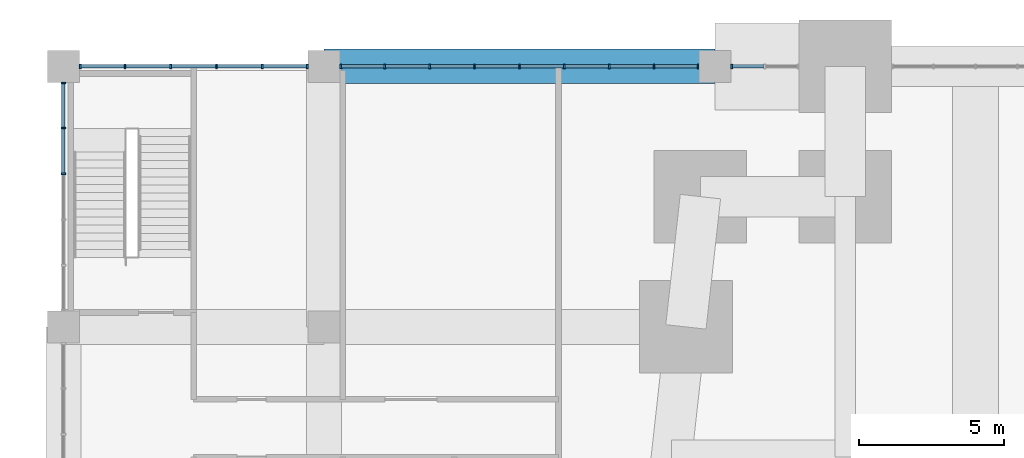
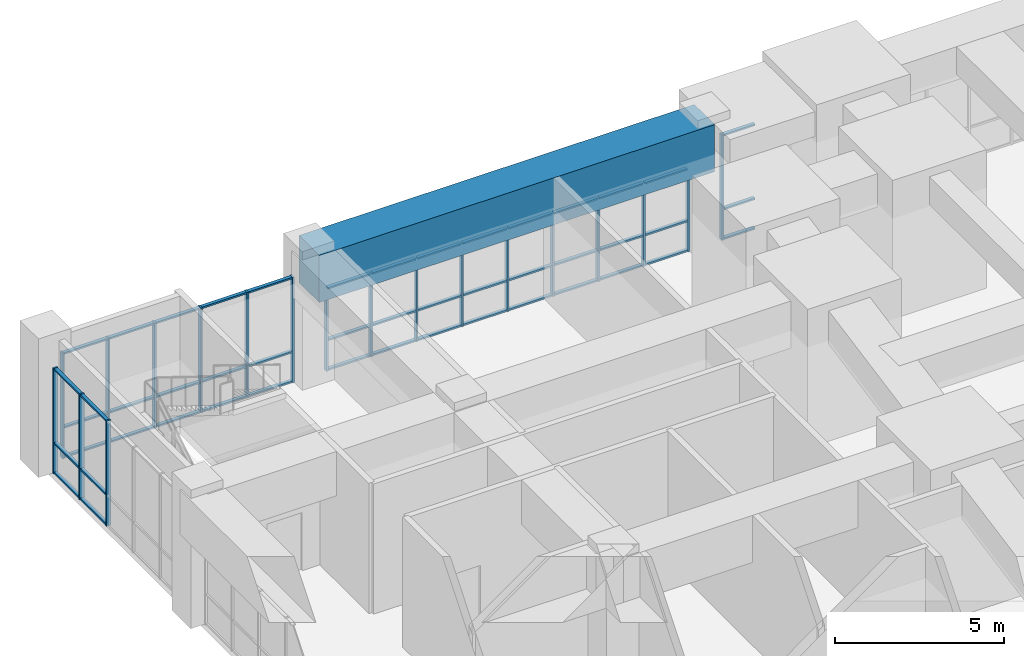
# One storey, part 10 of 27: 67 members, 1 beam, 4 elements without a shape of their own.
"""IFC4 building model written with IfcOpenShell, lengths in metres."""

from ifc_helpers import new_model, si_unit, direction, frame, origin, origin_2d, place, context, subcontext, project, spatial, rectangle, extrude, material, material_profile, profile_set, type_object, element, aggregate, save


model = new_model("IFC4")

# Units and contexts
model_context = context("Model", 3, precision=1e-05, world=origin(), true_north=direction((0.0, 1.0)))
body_context = subcontext(model_context, "Body", "Model", "MODEL_VIEW")
ifc_project = project(units=[si_unit("LENGTHUNIT", "METRE"), si_unit("AREAUNIT", "SQUARE_METRE"), si_unit("VOLUMEUNIT", "CUBIC_METRE"), si_unit("PLANEANGLEUNIT", "RADIAN"), si_unit("MASSUNIT", "GRAM", prefix="KILO")], contexts=[model_context])

# Site, building, storey
site_placement = place(None, origin())
site = spatial("IfcSite", under=ifc_project, at=site_placement, CompositionType="ELEMENT")
building_placement = place(site_placement, origin())
building = spatial("IfcBuilding", under=site, at=building_placement, Name="Kilele Tower Hotel", CompositionType="ELEMENT")
storey_placement = place(building_placement, frame((0.0, 0.0, 6.0)))
storey = spatial("IfcBuildingStorey", under=building, at=storey_placement, Name="L01", CompositionType="ELEMENT", Elevation=6.0)

# Beam
ifc_material_1 = material(Name="Concrete C60/75", Category="concrete")
ifc_material_profile_1 = material_profile(ifc_material_1, rectangle(XDim=1.199951171875, YDim=1.699951171875, at=origin_2d()))
ifc_profile_set_1 = profile_set([ifc_material_profile_1], Name="Concrete C60/75")
beam_type = type_object("IfcBeamType", Name="Beam RC 1200x1700 C60/75", PredefinedType="BEAM", material=ifc_profile_set_1)
beam_placement = place(storey_placement, frame((-9.0, 40.5, 3.85009765625), z_axis=(1.0, 0.0, 0.0), x_axis=(0.0, 1.0, 0.0)))
element("IfcBeam", 1, at=beam_placement, inside=storey, type_object=beam_type, Name="Beam PB3 level L02", PredefinedType="BEAM", context=body_context, shape_type="SweptSolid", body=[
    extrude(rectangle(XDim=1.199951171875, YDim=1.699951171875, at=origin_2d()), origin(), (0.0, 0.0, 1.0), 13.5),
])

# Curtain wall, member
ifc_material_2 = material(Name="Aluminium curtain wall, clear double glazing", Category="aluminium")
curtain_wall_type_1 = type_object("IfcCurtainWallType", Name="Podium curtain wall CW-1", PredefinedType="NOTDEFINED", material=ifc_material_2)
curtain_wall_1_placement = place(storey_placement, origin())
curtain_wall_1 = element("IfcCurtainWall", 2, at=curtain_wall_1_placement, inside=storey, type_object=curtain_wall_type_1, Name="Podium curtain wall CW-1 L01", PredefinedType="NOTDEFINED")
ifc_material_3 = material(Name="Aluminium EN AW-6063 T6", Category="aluminium")
ifc_material_profile_2 = material_profile(ifc_material_3, rectangle(XDim=0.159912109375, YDim=0.06005859375, at=origin_2d()))
ifc_profile_set_2 = profile_set([ifc_material_profile_2], Name="Aluminium EN AW-6063 T6")
member_type_1 = type_object("IfcMemberType", Name="Mullion 60x160 CW-1", PredefinedType="MULLION", material=ifc_profile_set_2)
member_1_placement = place(storey_placement, frame((5.080078125, 40.5, 0.0), z_axis=(0.0, 0.0, 1.0), x_axis=(0.0, -1.0, 0.0)))
member_1 = element("IfcMember", 3, at=member_1_placement, type_object=member_type_1, Name="CW-1 mullion 3", PredefinedType="MULLION", context=body_context, shape_type="SweptSolid", body=[
    extrude(rectangle(XDim=0.159912109375, YDim=0.06005859375, at=origin_2d()), origin(), (0.0, 0.0, 1.0), 3.800048828125),
])

# Curtain wall, members
curtain_wall_2_placement = place(storey_placement, origin())
curtain_wall_2 = element("IfcCurtainWall", 4, at=curtain_wall_2_placement, inside=storey, type_object=curtain_wall_type_1, Name="Podium curtain wall CW-1 L01", PredefinedType="NOTDEFINED")
member_2_placement = place(storey_placement, frame((3.919921875, 40.5, 0.0), z_axis=(0.0, 0.0, 1.0), x_axis=(0.0, -1.0, 0.0)))
member_2 = element("IfcMember", 5, at=member_2_placement, type_object=member_type_1, Name="CW-1 mullion 1", PredefinedType="MULLION", context=body_context, shape_type="SweptSolid", body=[
    extrude(rectangle(XDim=0.159912109375, YDim=0.06005859375, at=origin_2d()), origin(), (0.0, 0.0, 1.0), 3.0),
])
member_3_placement = place(storey_placement, frame((2.39990234375, 40.5, 0.0), z_axis=(0.0, 0.0, 1.0), x_axis=(0.0, -1.0, 0.0)))
member_3 = element("IfcMember", 6, at=member_3_placement, type_object=member_type_1, Name="CW-1 mullion 2", PredefinedType="MULLION", context=body_context, shape_type="SweptSolid", body=[
    extrude(rectangle(XDim=0.159912109375, YDim=0.06005859375, at=origin_2d()), origin(), (0.0, 0.0, 1.0), 3.0),
])
member_4_placement = place(storey_placement, frame((0.85009765625, 40.5, 0.0), z_axis=(0.0, 0.0, 1.0), x_axis=(0.0, -1.0, 0.0)))
member_4 = element("IfcMember", 7, at=member_4_placement, type_object=member_type_1, Name="CW-1 mullion 3", PredefinedType="MULLION", context=body_context, shape_type="SweptSolid", body=[
    extrude(rectangle(XDim=0.159912109375, YDim=0.06005859375, at=origin_2d()), origin(), (0.0, 0.0, 1.0), 3.0),
])
member_5_placement = place(storey_placement, frame((-0.699951171875, 40.5, 0.0), z_axis=(0.0, 0.0, 1.0), x_axis=(0.0, -1.0, 0.0)))
member_5 = element("IfcMember", 8, at=member_5_placement, type_object=member_type_1, Name="CW-1 mullion 4", PredefinedType="MULLION", context=body_context, shape_type="SweptSolid", body=[
    extrude(rectangle(XDim=0.159912109375, YDim=0.06005859375, at=origin_2d()), origin(), (0.0, 0.0, 1.0), 3.0),
])
member_6_placement = place(storey_placement, frame((-2.25, 40.5, 0.0), z_axis=(0.0, 0.0, 1.0), x_axis=(0.0, -1.0, 0.0)))
member_6 = element("IfcMember", 9, at=member_6_placement, type_object=member_type_1, Name="CW-1 mullion 5", PredefinedType="MULLION", context=body_context, shape_type="SweptSolid", body=[
    extrude(rectangle(XDim=0.159912109375, YDim=0.06005859375, at=origin_2d()), origin(), (0.0, 0.0, 1.0), 3.0),
])
member_7_placement = place(storey_placement, frame((-3.800048828125, 40.5, 0.0), z_axis=(0.0, 0.0, 1.0), x_axis=(0.0, -1.0, 0.0)))
member_7 = element("IfcMember", 10, at=member_7_placement, type_object=member_type_1, Name="CW-1 mullion 6", PredefinedType="MULLION", context=body_context, shape_type="SweptSolid", body=[
    extrude(rectangle(XDim=0.159912109375, YDim=0.06005859375, at=origin_2d()), origin(), (0.0, 0.0, 1.0), 3.0),
])
member_8_placement = place(storey_placement, frame((-5.35009765625, 40.5, 0.0), z_axis=(0.0, 0.0, 1.0), x_axis=(0.0, -1.0, 0.0)))
member_8 = element("IfcMember", 11, at=member_8_placement, type_object=member_type_1, Name="CW-1 mullion 7", PredefinedType="MULLION", context=body_context, shape_type="SweptSolid", body=[
    extrude(rectangle(XDim=0.159912109375, YDim=0.06005859375, at=origin_2d()), origin(), (0.0, 0.0, 1.0), 3.0),
])
member_9_placement = place(storey_placement, frame((-6.89990234375, 40.5, 0.0), z_axis=(0.0, 0.0, 1.0), x_axis=(0.0, -1.0, 0.0)))
member_9 = element("IfcMember", 12, at=member_9_placement, type_object=member_type_1, Name="CW-1 mullion 8", PredefinedType="MULLION", context=body_context, shape_type="SweptSolid", body=[
    extrude(rectangle(XDim=0.159912109375, YDim=0.06005859375, at=origin_2d()), origin(), (0.0, 0.0, 1.0), 3.0),
])
member_10_placement = place(storey_placement, frame((-8.419921875, 40.5, 0.0), z_axis=(0.0, 0.0, 1.0), x_axis=(0.0, -1.0, 0.0)))
member_10 = element("IfcMember", 13, at=member_10_placement, type_object=member_type_1, Name="CW-1 mullion 9", PredefinedType="MULLION", context=body_context, shape_type="SweptSolid", body=[
    extrude(rectangle(XDim=0.159912109375, YDim=0.06005859375, at=origin_2d()), origin(), (0.0, 0.0, 1.0), 3.0),
])

curtain_wall_3_placement = place(storey_placement, origin())
curtain_wall_3 = element("IfcCurtainWall", 14, at=curtain_wall_3_placement, inside=storey, type_object=curtain_wall_type_1, Name="Podium curtain wall CW-1 L01", PredefinedType="NOTDEFINED")
member_11_placement = place(storey_placement, frame((-9.580078125, 40.5, 0.0), z_axis=(0.0, 0.0, 1.0), x_axis=(0.0, -1.0, 0.0)))
member_11 = element("IfcMember", 15, at=member_11_placement, type_object=member_type_1, Name="CW-1 mullion 1", PredefinedType="MULLION", context=body_context, shape_type="SweptSolid", body=[
    extrude(rectangle(XDim=0.159912109375, YDim=0.06005859375, at=origin_2d()), origin(), (0.0, 0.0, 1.0), 3.800048828125),
])
member_12_placement = place(storey_placement, frame((-11.1298828125, 40.5, 0.0), z_axis=(0.0, 0.0, 1.0), x_axis=(0.0, -1.0, 0.0)))
member_12 = element("IfcMember", 16, at=member_12_placement, type_object=member_type_1, Name="CW-1 mullion 2", PredefinedType="MULLION", context=body_context, shape_type="SweptSolid", body=[
    extrude(rectangle(XDim=0.159912109375, YDim=0.06005859375, at=origin_2d()), origin(), (0.0, 0.0, 1.0), 3.800048828125),
])
member_13_placement = place(storey_placement, frame((-12.7099609375, 40.5, 0.0), z_axis=(0.0, 0.0, 1.0), x_axis=(0.0, -1.0, 0.0)))
member_13 = element("IfcMember", 17, at=member_13_placement, type_object=member_type_1, Name="CW-1 mullion 3", PredefinedType="MULLION", context=body_context, shape_type="SweptSolid", body=[
    extrude(rectangle(XDim=0.159912109375, YDim=0.06005859375, at=origin_2d()), origin(), (0.0, 0.0, 1.0), 3.800048828125),
])
member_14_placement = place(storey_placement, frame((-14.2900390625, 40.5, 0.0), z_axis=(0.0, 0.0, 1.0), x_axis=(0.0, -1.0, 0.0)))
member_14 = element("IfcMember", 18, at=member_14_placement, type_object=member_type_1, Name="CW-1 mullion 4", PredefinedType="MULLION", context=body_context, shape_type="SweptSolid", body=[
    extrude(rectangle(XDim=0.159912109375, YDim=0.06005859375, at=origin_2d()), origin(), (0.0, 0.0, 1.0), 3.800048828125),
])
member_15_placement = place(storey_placement, frame((-15.8701171875, 40.5, 0.0), z_axis=(0.0, 0.0, 1.0), x_axis=(0.0, -1.0, 0.0)))
member_15 = element("IfcMember", 19, at=member_15_placement, type_object=member_type_1, Name="CW-1 mullion 5", PredefinedType="MULLION", context=body_context, shape_type="SweptSolid", body=[
    extrude(rectangle(XDim=0.159912109375, YDim=0.06005859375, at=origin_2d()), origin(), (0.0, 0.0, 1.0), 3.800048828125),
])
member_16_placement = place(storey_placement, frame((-17.419921875, 40.5, 0.0), z_axis=(0.0, 0.0, 1.0), x_axis=(0.0, -1.0, 0.0)))
member_16 = element("IfcMember", 20, at=member_16_placement, type_object=member_type_1, Name="CW-1 mullion 6", PredefinedType="MULLION", context=body_context, shape_type="SweptSolid", body=[
    extrude(rectangle(XDim=0.159912109375, YDim=0.06005859375, at=origin_2d()), origin(), (0.0, 0.0, 1.0), 3.800048828125),
])

ifc_material_4 = material(Name="Aluminium curtain wall, clear double glazing", Category="aluminium")
curtain_wall_type_2 = type_object("IfcCurtainWallType", Name="Podium side curtain wall CW-2", PredefinedType="NOTDEFINED", material=ifc_material_4)
curtain_wall_4_placement = place(storey_placement, origin())
curtain_wall_4 = element("IfcCurtainWall", 21, at=curtain_wall_4_placement, inside=storey, type_object=curtain_wall_type_2, Name="Podium side curtain wall CW-2 L01", PredefinedType="NOTDEFINED")
ifc_material_5 = material(Name="Aluminium EN AW-6063 T6", Category="aluminium")
ifc_material_profile_3 = material_profile(ifc_material_5, rectangle(XDim=0.159912109375, YDim=0.06005859375, at=origin_2d()))
ifc_profile_set_3 = profile_set([ifc_material_profile_3], Name="Aluminium EN AW-6063 T6")
member_type_2 = type_object("IfcMemberType", Name="Mullion 60x160 CW-2", PredefinedType="MULLION", material=ifc_profile_set_3)
member_17_placement = place(storey_placement, frame((-18.0, 39.919921875, 0.0), z_axis=(0.0, 0.0, 1.0), x_axis=(1.0, 0.0, 0.0)))
member_17 = element("IfcMember", 22, at=member_17_placement, type_object=member_type_2, Name="CW-2 mullion 1", PredefinedType="MULLION", context=body_context, shape_type="SweptSolid", body=[
    extrude(rectangle(XDim=0.159912109375, YDim=0.06005859375, at=origin_2d()), origin(), (0.0, 0.0, 1.0), 3.800048828125),
])
member_18_placement = place(storey_placement, frame((-18.0, 38.3701171875, 0.0), z_axis=(0.0, 0.0, 1.0), x_axis=(1.0, 0.0, 0.0)))
member_18 = element("IfcMember", 23, at=member_18_placement, type_object=member_type_2, Name="CW-2 mullion 2", PredefinedType="MULLION", context=body_context, shape_type="SweptSolid", body=[
    extrude(rectangle(XDim=0.159912109375, YDim=0.06005859375, at=origin_2d()), origin(), (0.0, 0.0, 1.0), 3.800048828125),
])
member_19_placement = place(storey_placement, frame((-18.0, 36.7900390625, 0.0), z_axis=(0.0, 0.0, 1.0), x_axis=(1.0, 0.0, 0.0)))
member_19 = element("IfcMember", 24, at=member_19_placement, type_object=member_type_2, Name="CW-2 mullion 3", PredefinedType="MULLION", context=body_context, shape_type="SweptSolid", body=[
    extrude(rectangle(XDim=0.159912109375, YDim=0.06005859375, at=origin_2d()), origin(), (0.0, 0.0, 1.0), 3.800048828125),
])

# Member
ifc_material_6 = material(Name="Aluminium EN AW-6063 T6", Category="aluminium")
ifc_material_profile_4 = material_profile(ifc_material_6, rectangle(XDim=0.1201171875, YDim=0.06005859375, at=origin_2d()))
ifc_profile_set_4 = profile_set([ifc_material_profile_4], Name="Aluminium EN AW-6063 T6")
member_type_3 = type_object("IfcMemberType", Name="Transom 60x120 CW-1", PredefinedType="USERDEFINED", material=ifc_profile_set_4)
member_20_placement = place(storey_placement, frame((6.195068359375, 40.5, 0.030029296875), z_axis=(-1.0, 0.0, 0.0), x_axis=(0.0, -1.0, 0.0)))
member_20 = element("IfcMember", 25, at=member_20_placement, type_object=member_type_3, Name="CW-1 transom 2.1", ObjectType="TRANSOM", PredefinedType="USERDEFINED", context=body_context, shape_type="SweptSolid", body=[
    extrude(rectangle(XDim=0.1201171875, YDim=0.06005859375, at=origin_2d()), origin(), (0.0, 0.0, 1.0), 1.0849609375),
])

member_21_placement = place(storey_placement, frame((6.195068359375, 40.5, 1.10009765625), z_axis=(-1.0, 0.0, 0.0), x_axis=(0.0, -1.0, 0.0)))
member_21 = element("IfcMember", 26, at=member_21_placement, type_object=member_type_3, Name="CW-1 transom 2.2", ObjectType="TRANSOM", PredefinedType="USERDEFINED", context=body_context, shape_type="SweptSolid", body=[
    extrude(rectangle(XDim=0.1201171875, YDim=0.06005859375, at=origin_2d()), origin(), (0.0, 0.0, 1.0), 1.0849609375),
])

member_22_placement = place(storey_placement, frame((6.195068359375, 40.5, 3.77001953125), z_axis=(-1.0, 0.0, 0.0), x_axis=(0.0, -1.0, 0.0)))
member_22 = element("IfcMember", 27, at=member_22_placement, type_object=member_type_3, Name="CW-1 transom 2.3", ObjectType="TRANSOM", PredefinedType="USERDEFINED", context=body_context, shape_type="SweptSolid", body=[
    extrude(rectangle(XDim=0.1201171875, YDim=0.06005859375, at=origin_2d()), origin(), (0.0, 0.0, 1.0), 1.0849609375),
])

aggregate(curtain_wall_1, [member_1, member_20, member_21, member_22])

member_23_placement = place(storey_placement, frame((3.889892578125, 40.5, 0.030029296875), z_axis=(-1.0, 0.0, 0.0), x_axis=(0.0, -1.0, 0.0)))
member_23 = element("IfcMember", 28, at=member_23_placement, type_object=member_type_3, Name="CW-1 transom 1.1", ObjectType="TRANSOM", PredefinedType="USERDEFINED", context=body_context, shape_type="SweptSolid", body=[
    extrude(rectangle(XDim=0.1201171875, YDim=0.06005859375, at=origin_2d()), origin(), (0.0, 0.0, 1.0), 1.4599609375),
])

member_24_placement = place(storey_placement, frame((3.889892578125, 40.5, 1.10009765625), z_axis=(-1.0, 0.0, 0.0), x_axis=(0.0, -1.0, 0.0)))
member_24 = element("IfcMember", 29, at=member_24_placement, type_object=member_type_3, Name="CW-1 transom 1.2", ObjectType="TRANSOM", PredefinedType="USERDEFINED", context=body_context, shape_type="SweptSolid", body=[
    extrude(rectangle(XDim=0.1201171875, YDim=0.06005859375, at=origin_2d()), origin(), (0.0, 0.0, 1.0), 1.4599609375),
])

member_25_placement = place(storey_placement, frame((3.889892578125, 40.5, 2.969970703125), z_axis=(-1.0, 0.0, 0.0), x_axis=(0.0, -1.0, 0.0)))
member_25 = element("IfcMember", 30, at=member_25_placement, type_object=member_type_3, Name="CW-1 transom 1.3", ObjectType="TRANSOM", PredefinedType="USERDEFINED", context=body_context, shape_type="SweptSolid", body=[
    extrude(rectangle(XDim=0.1201171875, YDim=0.06005859375, at=origin_2d()), origin(), (0.0, 0.0, 1.0), 1.4599609375),
])

member_26_placement = place(storey_placement, frame((2.3701171875, 40.5, 0.030029296875), z_axis=(-1.0, 0.0, 0.0), x_axis=(0.0, -1.0, 0.0)))
member_26 = element("IfcMember", 31, at=member_26_placement, type_object=member_type_3, Name="CW-1 transom 2.1", ObjectType="TRANSOM", PredefinedType="USERDEFINED", context=body_context, shape_type="SweptSolid", body=[
    extrude(rectangle(XDim=0.1201171875, YDim=0.06005859375, at=origin_2d()), origin(), (0.0, 0.0, 1.0), 1.490234375),
])

member_27_placement = place(storey_placement, frame((2.3701171875, 40.5, 1.10009765625), z_axis=(-1.0, 0.0, 0.0), x_axis=(0.0, -1.0, 0.0)))
member_27 = element("IfcMember", 32, at=member_27_placement, type_object=member_type_3, Name="CW-1 transom 2.2", ObjectType="TRANSOM", PredefinedType="USERDEFINED", context=body_context, shape_type="SweptSolid", body=[
    extrude(rectangle(XDim=0.1201171875, YDim=0.06005859375, at=origin_2d()), origin(), (0.0, 0.0, 1.0), 1.490234375),
])

member_28_placement = place(storey_placement, frame((2.3701171875, 40.5, 2.969970703125), z_axis=(-1.0, 0.0, 0.0), x_axis=(0.0, -1.0, 0.0)))
member_28 = element("IfcMember", 33, at=member_28_placement, type_object=member_type_3, Name="CW-1 transom 2.3", ObjectType="TRANSOM", PredefinedType="USERDEFINED", context=body_context, shape_type="SweptSolid", body=[
    extrude(rectangle(XDim=0.1201171875, YDim=0.06005859375, at=origin_2d()), origin(), (0.0, 0.0, 1.0), 1.490234375),
])

member_29_placement = place(storey_placement, frame((0.820068359375, 40.5, 0.030029296875), z_axis=(-1.0, 0.0, 0.0), x_axis=(0.0, -1.0, 0.0)))
member_29 = element("IfcMember", 34, at=member_29_placement, type_object=member_type_3, Name="CW-1 transom 3.1", ObjectType="TRANSOM", PredefinedType="USERDEFINED", context=body_context, shape_type="SweptSolid", body=[
    extrude(rectangle(XDim=0.1201171875, YDim=0.06005859375, at=origin_2d()), origin(), (0.0, 0.0, 1.0), 1.489990234375),
])

member_30_placement = place(storey_placement, frame((0.820068359375, 40.5, 1.10009765625), z_axis=(-1.0, 0.0, 0.0), x_axis=(0.0, -1.0, 0.0)))
member_30 = element("IfcMember", 35, at=member_30_placement, type_object=member_type_3, Name="CW-1 transom 3.2", ObjectType="TRANSOM", PredefinedType="USERDEFINED", context=body_context, shape_type="SweptSolid", body=[
    extrude(rectangle(XDim=0.1201171875, YDim=0.06005859375, at=origin_2d()), origin(), (0.0, 0.0, 1.0), 1.489990234375),
])

member_31_placement = place(storey_placement, frame((0.820068359375, 40.5, 2.969970703125), z_axis=(-1.0, 0.0, 0.0), x_axis=(0.0, -1.0, 0.0)))
member_31 = element("IfcMember", 36, at=member_31_placement, type_object=member_type_3, Name="CW-1 transom 3.3", ObjectType="TRANSOM", PredefinedType="USERDEFINED", context=body_context, shape_type="SweptSolid", body=[
    extrude(rectangle(XDim=0.1201171875, YDim=0.06005859375, at=origin_2d()), origin(), (0.0, 0.0, 1.0), 1.489990234375),
])

member_32_placement = place(storey_placement, frame((-0.72998046875, 40.5, 0.030029296875), z_axis=(-1.0, 0.0, 0.0), x_axis=(0.0, -1.0, 0.0)))
member_32 = element("IfcMember", 37, at=member_32_placement, type_object=member_type_3, Name="CW-1 transom 4.1", ObjectType="TRANSOM", PredefinedType="USERDEFINED", context=body_context, shape_type="SweptSolid", body=[
    extrude(rectangle(XDim=0.1201171875, YDim=0.06005859375, at=origin_2d()), origin(), (0.0, 0.0, 1.0), 1.489990234375),
])

member_33_placement = place(storey_placement, frame((-0.72998046875, 40.5, 1.10009765625), z_axis=(-1.0, 0.0, 0.0), x_axis=(0.0, -1.0, 0.0)))
member_33 = element("IfcMember", 38, at=member_33_placement, type_object=member_type_3, Name="CW-1 transom 4.2", ObjectType="TRANSOM", PredefinedType="USERDEFINED", context=body_context, shape_type="SweptSolid", body=[
    extrude(rectangle(XDim=0.1201171875, YDim=0.06005859375, at=origin_2d()), origin(), (0.0, 0.0, 1.0), 1.489990234375),
])

member_34_placement = place(storey_placement, frame((-0.72998046875, 40.5, 2.969970703125), z_axis=(-1.0, 0.0, 0.0), x_axis=(0.0, -1.0, 0.0)))
member_34 = element("IfcMember", 39, at=member_34_placement, type_object=member_type_3, Name="CW-1 transom 4.3", ObjectType="TRANSOM", PredefinedType="USERDEFINED", context=body_context, shape_type="SweptSolid", body=[
    extrude(rectangle(XDim=0.1201171875, YDim=0.06005859375, at=origin_2d()), origin(), (0.0, 0.0, 1.0), 1.489990234375),
])

member_35_placement = place(storey_placement, frame((-2.280029296875, 40.5, 0.030029296875), z_axis=(-1.0, 0.0, 0.0), x_axis=(0.0, -1.0, 0.0)))
member_35 = element("IfcMember", 40, at=member_35_placement, type_object=member_type_3, Name="CW-1 transom 5.1", ObjectType="TRANSOM", PredefinedType="USERDEFINED", context=body_context, shape_type="SweptSolid", body=[
    extrude(rectangle(XDim=0.1201171875, YDim=0.06005859375, at=origin_2d()), origin(), (0.0, 0.0, 1.0), 1.489990234375),
])

member_36_placement = place(storey_placement, frame((-2.280029296875, 40.5, 1.10009765625), z_axis=(-1.0, 0.0, 0.0), x_axis=(0.0, -1.0, 0.0)))
member_36 = element("IfcMember", 41, at=member_36_placement, type_object=member_type_3, Name="CW-1 transom 5.2", ObjectType="TRANSOM", PredefinedType="USERDEFINED", context=body_context, shape_type="SweptSolid", body=[
    extrude(rectangle(XDim=0.1201171875, YDim=0.06005859375, at=origin_2d()), origin(), (0.0, 0.0, 1.0), 1.489990234375),
])

member_37_placement = place(storey_placement, frame((-2.280029296875, 40.5, 2.969970703125), z_axis=(-1.0, 0.0, 0.0), x_axis=(0.0, -1.0, 0.0)))
member_37 = element("IfcMember", 42, at=member_37_placement, type_object=member_type_3, Name="CW-1 transom 5.3", ObjectType="TRANSOM", PredefinedType="USERDEFINED", context=body_context, shape_type="SweptSolid", body=[
    extrude(rectangle(XDim=0.1201171875, YDim=0.06005859375, at=origin_2d()), origin(), (0.0, 0.0, 1.0), 1.489990234375),
])

member_38_placement = place(storey_placement, frame((-3.830078125, 40.5, 0.030029296875), z_axis=(-1.0, 0.0, 0.0), x_axis=(0.0, -1.0, 0.0)))
member_38 = element("IfcMember", 43, at=member_38_placement, type_object=member_type_3, Name="CW-1 transom 6.1", ObjectType="TRANSOM", PredefinedType="USERDEFINED", context=body_context, shape_type="SweptSolid", body=[
    extrude(rectangle(XDim=0.1201171875, YDim=0.06005859375, at=origin_2d()), origin(), (0.0, 0.0, 1.0), 1.489990234375),
])

member_39_placement = place(storey_placement, frame((-3.830078125, 40.5, 1.10009765625), z_axis=(-1.0, 0.0, 0.0), x_axis=(0.0, -1.0, 0.0)))
member_39 = element("IfcMember", 44, at=member_39_placement, type_object=member_type_3, Name="CW-1 transom 6.2", ObjectType="TRANSOM", PredefinedType="USERDEFINED", context=body_context, shape_type="SweptSolid", body=[
    extrude(rectangle(XDim=0.1201171875, YDim=0.06005859375, at=origin_2d()), origin(), (0.0, 0.0, 1.0), 1.489990234375),
])

member_40_placement = place(storey_placement, frame((-3.830078125, 40.5, 2.969970703125), z_axis=(-1.0, 0.0, 0.0), x_axis=(0.0, -1.0, 0.0)))
member_40 = element("IfcMember", 45, at=member_40_placement, type_object=member_type_3, Name="CW-1 transom 6.3", ObjectType="TRANSOM", PredefinedType="USERDEFINED", context=body_context, shape_type="SweptSolid", body=[
    extrude(rectangle(XDim=0.1201171875, YDim=0.06005859375, at=origin_2d()), origin(), (0.0, 0.0, 1.0), 1.489990234375),
])

member_41_placement = place(storey_placement, frame((-5.3798828125, 40.5, 0.030029296875), z_axis=(-1.0, 0.0, 0.0), x_axis=(0.0, -1.0, 0.0)))
member_41 = element("IfcMember", 46, at=member_41_placement, type_object=member_type_3, Name="CW-1 transom 7.1", ObjectType="TRANSOM", PredefinedType="USERDEFINED", context=body_context, shape_type="SweptSolid", body=[
    extrude(rectangle(XDim=0.1201171875, YDim=0.06005859375, at=origin_2d()), origin(), (0.0, 0.0, 1.0), 1.490234375),
])

member_42_placement = place(storey_placement, frame((-5.3798828125, 40.5, 1.10009765625), z_axis=(-1.0, 0.0, 0.0), x_axis=(0.0, -1.0, 0.0)))
member_42 = element("IfcMember", 47, at=member_42_placement, type_object=member_type_3, Name="CW-1 transom 7.2", ObjectType="TRANSOM", PredefinedType="USERDEFINED", context=body_context, shape_type="SweptSolid", body=[
    extrude(rectangle(XDim=0.1201171875, YDim=0.06005859375, at=origin_2d()), origin(), (0.0, 0.0, 1.0), 1.490234375),
])

member_43_placement = place(storey_placement, frame((-5.3798828125, 40.5, 2.969970703125), z_axis=(-1.0, 0.0, 0.0), x_axis=(0.0, -1.0, 0.0)))
member_43 = element("IfcMember", 48, at=member_43_placement, type_object=member_type_3, Name="CW-1 transom 7.3", ObjectType="TRANSOM", PredefinedType="USERDEFINED", context=body_context, shape_type="SweptSolid", body=[
    extrude(rectangle(XDim=0.1201171875, YDim=0.06005859375, at=origin_2d()), origin(), (0.0, 0.0, 1.0), 1.490234375),
])

member_44_placement = place(storey_placement, frame((-6.929931640625, 40.5, 0.030029296875), z_axis=(-1.0, 0.0, 0.0), x_axis=(0.0, -1.0, 0.0)))
member_44 = element("IfcMember", 49, at=member_44_placement, type_object=member_type_3, Name="CW-1 transom 8.1", ObjectType="TRANSOM", PredefinedType="USERDEFINED", context=body_context, shape_type="SweptSolid", body=[
    extrude(rectangle(XDim=0.1201171875, YDim=0.06005859375, at=origin_2d()), origin(), (0.0, 0.0, 1.0), 1.4599609375),
])

member_45_placement = place(storey_placement, frame((-6.929931640625, 40.5, 1.10009765625), z_axis=(-1.0, 0.0, 0.0), x_axis=(0.0, -1.0, 0.0)))
member_45 = element("IfcMember", 50, at=member_45_placement, type_object=member_type_3, Name="CW-1 transom 8.2", ObjectType="TRANSOM", PredefinedType="USERDEFINED", context=body_context, shape_type="SweptSolid", body=[
    extrude(rectangle(XDim=0.1201171875, YDim=0.06005859375, at=origin_2d()), origin(), (0.0, 0.0, 1.0), 1.4599609375),
])

member_46_placement = place(storey_placement, frame((-6.929931640625, 40.5, 2.969970703125), z_axis=(-1.0, 0.0, 0.0), x_axis=(0.0, -1.0, 0.0)))
member_46 = element("IfcMember", 51, at=member_46_placement, type_object=member_type_3, Name="CW-1 transom 8.3", ObjectType="TRANSOM", PredefinedType="USERDEFINED", context=body_context, shape_type="SweptSolid", body=[
    extrude(rectangle(XDim=0.1201171875, YDim=0.06005859375, at=origin_2d()), origin(), (0.0, 0.0, 1.0), 1.4599609375),
])

aggregate(curtain_wall_2, [member_2, member_3, member_4, member_5, member_6, member_7, member_8, member_9, member_10, member_23, member_24, member_25, member_26, member_27, member_28, member_29, member_30, member_31, member_32, member_33, member_34, member_35, member_36, member_37, member_38, member_39, member_40, member_41, member_42, member_43, member_44, member_45, member_46])

member_47_placement = place(storey_placement, frame((-9.610107421875, 40.5, 0.030029296875), z_axis=(-1.0, 0.0, 0.0), x_axis=(0.0, -1.0, 0.0)))
member_47 = element("IfcMember", 52, at=member_47_placement, type_object=member_type_3, Name="CW-1 transom 1.1", ObjectType="TRANSOM", PredefinedType="USERDEFINED", context=body_context, shape_type="SweptSolid", body=[
    extrude(rectangle(XDim=0.1201171875, YDim=0.06005859375, at=origin_2d()), origin(), (0.0, 0.0, 1.0), 1.489990234375),
])

member_48_placement = place(storey_placement, frame((-9.610107421875, 40.5, 1.10009765625), z_axis=(-1.0, 0.0, 0.0), x_axis=(0.0, -1.0, 0.0)))
member_48 = element("IfcMember", 53, at=member_48_placement, type_object=member_type_3, Name="CW-1 transom 1.2", ObjectType="TRANSOM", PredefinedType="USERDEFINED", context=body_context, shape_type="SweptSolid", body=[
    extrude(rectangle(XDim=0.1201171875, YDim=0.06005859375, at=origin_2d()), origin(), (0.0, 0.0, 1.0), 1.489990234375),
])

member_49_placement = place(storey_placement, frame((-9.610107421875, 40.5, 3.77001953125), z_axis=(-1.0, 0.0, 0.0), x_axis=(0.0, -1.0, 0.0)))
member_49 = element("IfcMember", 54, at=member_49_placement, type_object=member_type_3, Name="CW-1 transom 1.3", ObjectType="TRANSOM", PredefinedType="USERDEFINED", context=body_context, shape_type="SweptSolid", body=[
    extrude(rectangle(XDim=0.1201171875, YDim=0.06005859375, at=origin_2d()), origin(), (0.0, 0.0, 1.0), 1.489990234375),
])

member_50_placement = place(storey_placement, frame((-11.159912109375, 40.5, 0.030029296875), z_axis=(-1.0, 0.0, 0.0), x_axis=(0.0, -1.0, 0.0)))
member_50 = element("IfcMember", 55, at=member_50_placement, type_object=member_type_3, Name="CW-1 transom 2.1", ObjectType="TRANSOM", PredefinedType="USERDEFINED", context=body_context, shape_type="SweptSolid", body=[
    extrude(rectangle(XDim=0.1201171875, YDim=0.06005859375, at=origin_2d()), origin(), (0.0, 0.0, 1.0), 1.52001953125),
])

member_51_placement = place(storey_placement, frame((-11.159912109375, 40.5, 1.10009765625), z_axis=(-1.0, 0.0, 0.0), x_axis=(0.0, -1.0, 0.0)))
member_51 = element("IfcMember", 56, at=member_51_placement, type_object=member_type_3, Name="CW-1 transom 2.2", ObjectType="TRANSOM", PredefinedType="USERDEFINED", context=body_context, shape_type="SweptSolid", body=[
    extrude(rectangle(XDim=0.1201171875, YDim=0.06005859375, at=origin_2d()), origin(), (0.0, 0.0, 1.0), 1.52001953125),
])

member_52_placement = place(storey_placement, frame((-11.159912109375, 40.5, 3.77001953125), z_axis=(-1.0, 0.0, 0.0), x_axis=(0.0, -1.0, 0.0)))
member_52 = element("IfcMember", 57, at=member_52_placement, type_object=member_type_3, Name="CW-1 transom 2.3", ObjectType="TRANSOM", PredefinedType="USERDEFINED", context=body_context, shape_type="SweptSolid", body=[
    extrude(rectangle(XDim=0.1201171875, YDim=0.06005859375, at=origin_2d()), origin(), (0.0, 0.0, 1.0), 1.52001953125),
])

member_53_placement = place(storey_placement, frame((-12.739990234375, 40.5, 0.030029296875), z_axis=(-1.0, 0.0, 0.0), x_axis=(0.0, -1.0, 0.0)))
member_53 = element("IfcMember", 58, at=member_53_placement, type_object=member_type_3, Name="CW-1 transom 3.1", ObjectType="TRANSOM", PredefinedType="USERDEFINED", context=body_context, shape_type="SweptSolid", body=[
    extrude(rectangle(XDim=0.1201171875, YDim=0.06005859375, at=origin_2d()), origin(), (0.0, 0.0, 1.0), 1.52001953125),
])

member_54_placement = place(storey_placement, frame((-12.739990234375, 40.5, 1.10009765625), z_axis=(-1.0, 0.0, 0.0), x_axis=(0.0, -1.0, 0.0)))
member_54 = element("IfcMember", 59, at=member_54_placement, type_object=member_type_3, Name="CW-1 transom 3.2", ObjectType="TRANSOM", PredefinedType="USERDEFINED", context=body_context, shape_type="SweptSolid", body=[
    extrude(rectangle(XDim=0.1201171875, YDim=0.06005859375, at=origin_2d()), origin(), (0.0, 0.0, 1.0), 1.52001953125),
])

member_55_placement = place(storey_placement, frame((-12.739990234375, 40.5, 3.77001953125), z_axis=(-1.0, 0.0, 0.0), x_axis=(0.0, -1.0, 0.0)))
member_55 = element("IfcMember", 60, at=member_55_placement, type_object=member_type_3, Name="CW-1 transom 3.3", ObjectType="TRANSOM", PredefinedType="USERDEFINED", context=body_context, shape_type="SweptSolid", body=[
    extrude(rectangle(XDim=0.1201171875, YDim=0.06005859375, at=origin_2d()), origin(), (0.0, 0.0, 1.0), 1.52001953125),
])

member_56_placement = place(storey_placement, frame((-14.320068359375, 40.5, 0.030029296875), z_axis=(-1.0, 0.0, 0.0), x_axis=(0.0, -1.0, 0.0)))
member_56 = element("IfcMember", 61, at=member_56_placement, type_object=member_type_3, Name="CW-1 transom 4.1", ObjectType="TRANSOM", PredefinedType="USERDEFINED", context=body_context, shape_type="SweptSolid", body=[
    extrude(rectangle(XDim=0.1201171875, YDim=0.06005859375, at=origin_2d()), origin(), (0.0, 0.0, 1.0), 1.52001953125),
])

member_57_placement = place(storey_placement, frame((-14.320068359375, 40.5, 1.10009765625), z_axis=(-1.0, 0.0, 0.0), x_axis=(0.0, -1.0, 0.0)))
member_57 = element("IfcMember", 62, at=member_57_placement, type_object=member_type_3, Name="CW-1 transom 4.2", ObjectType="TRANSOM", PredefinedType="USERDEFINED", context=body_context, shape_type="SweptSolid", body=[
    extrude(rectangle(XDim=0.1201171875, YDim=0.06005859375, at=origin_2d()), origin(), (0.0, 0.0, 1.0), 1.52001953125),
])

member_58_placement = place(storey_placement, frame((-14.320068359375, 40.5, 3.77001953125), z_axis=(-1.0, 0.0, 0.0), x_axis=(0.0, -1.0, 0.0)))
member_58 = element("IfcMember", 63, at=member_58_placement, type_object=member_type_3, Name="CW-1 transom 4.3", ObjectType="TRANSOM", PredefinedType="USERDEFINED", context=body_context, shape_type="SweptSolid", body=[
    extrude(rectangle(XDim=0.1201171875, YDim=0.06005859375, at=origin_2d()), origin(), (0.0, 0.0, 1.0), 1.52001953125),
])

member_59_placement = place(storey_placement, frame((-15.89990234375, 40.5, 0.030029296875), z_axis=(-1.0, 0.0, 0.0), x_axis=(0.0, -1.0, 0.0)))
member_59 = element("IfcMember", 64, at=member_59_placement, type_object=member_type_3, Name="CW-1 transom 5.1", ObjectType="TRANSOM", PredefinedType="USERDEFINED", context=body_context, shape_type="SweptSolid", body=[
    extrude(rectangle(XDim=0.1201171875, YDim=0.06005859375, at=origin_2d()), origin(), (0.0, 0.0, 1.0), 1.489990234375),
])

member_60_placement = place(storey_placement, frame((-15.89990234375, 40.5, 1.10009765625), z_axis=(-1.0, 0.0, 0.0), x_axis=(0.0, -1.0, 0.0)))
member_60 = element("IfcMember", 65, at=member_60_placement, type_object=member_type_3, Name="CW-1 transom 5.2", ObjectType="TRANSOM", PredefinedType="USERDEFINED", context=body_context, shape_type="SweptSolid", body=[
    extrude(rectangle(XDim=0.1201171875, YDim=0.06005859375, at=origin_2d()), origin(), (0.0, 0.0, 1.0), 1.489990234375),
])

member_61_placement = place(storey_placement, frame((-15.89990234375, 40.5, 3.77001953125), z_axis=(-1.0, 0.0, 0.0), x_axis=(0.0, -1.0, 0.0)))
member_61 = element("IfcMember", 66, at=member_61_placement, type_object=member_type_3, Name="CW-1 transom 5.3", ObjectType="TRANSOM", PredefinedType="USERDEFINED", context=body_context, shape_type="SweptSolid", body=[
    extrude(rectangle(XDim=0.1201171875, YDim=0.06005859375, at=origin_2d()), origin(), (0.0, 0.0, 1.0), 1.489990234375),
])

aggregate(curtain_wall_3, [member_11, member_12, member_13, member_14, member_15, member_16, member_47, member_48, member_49, member_50, member_51, member_52, member_53, member_54, member_55, member_56, member_57, member_58, member_59, member_60, member_61])

ifc_material_7 = material(Name="Aluminium EN AW-6063 T6", Category="aluminium")
ifc_material_profile_5 = material_profile(ifc_material_7, rectangle(XDim=0.1201171875, YDim=0.06005859375, at=origin_2d()))
ifc_profile_set_5 = profile_set([ifc_material_profile_5], Name="Aluminium EN AW-6063 T6")
member_type_4 = type_object("IfcMemberType", Name="Transom 60x120 CW-2", PredefinedType="USERDEFINED", material=ifc_profile_set_5)
member_62_placement = place(storey_placement, frame((-18.0, 39.889892578125, 0.030029296875), z_axis=(0.0, -1.0, 0.0), x_axis=(1.0, 0.0, 0.0)))
member_62 = element("IfcMember", 67, at=member_62_placement, type_object=member_type_4, Name="CW-2 transom 1.1", ObjectType="TRANSOM", PredefinedType="USERDEFINED", context=body_context, shape_type="SweptSolid", body=[
    extrude(rectangle(XDim=0.1201171875, YDim=0.06005859375, at=origin_2d()), origin(), (0.0, 0.0, 1.0), 1.489990234375),
])

member_63_placement = place(storey_placement, frame((-18.0, 39.889892578125, 1.10009765625), z_axis=(0.0, -1.0, 0.0), x_axis=(1.0, 0.0, 0.0)))
member_63 = element("IfcMember", 68, at=member_63_placement, type_object=member_type_4, Name="CW-2 transom 1.2", ObjectType="TRANSOM", PredefinedType="USERDEFINED", context=body_context, shape_type="SweptSolid", body=[
    extrude(rectangle(XDim=0.1201171875, YDim=0.06005859375, at=origin_2d()), origin(), (0.0, 0.0, 1.0), 1.489990234375),
])

member_64_placement = place(storey_placement, frame((-18.0, 39.889892578125, 3.77001953125), z_axis=(0.0, -1.0, 0.0), x_axis=(1.0, 0.0, 0.0)))
member_64 = element("IfcMember", 69, at=member_64_placement, type_object=member_type_4, Name="CW-2 transom 1.3", ObjectType="TRANSOM", PredefinedType="USERDEFINED", context=body_context, shape_type="SweptSolid", body=[
    extrude(rectangle(XDim=0.1201171875, YDim=0.06005859375, at=origin_2d()), origin(), (0.0, 0.0, 1.0), 1.489990234375),
])

member_65_placement = place(storey_placement, frame((-18.0, 38.340087890625, 0.030029296875), z_axis=(0.0, -1.0, 0.0), x_axis=(1.0, 0.0, 0.0)))
member_65 = element("IfcMember", 70, at=member_65_placement, type_object=member_type_4, Name="CW-2 transom 2.1", ObjectType="TRANSOM", PredefinedType="USERDEFINED", context=body_context, shape_type="SweptSolid", body=[
    extrude(rectangle(XDim=0.1201171875, YDim=0.06005859375, at=origin_2d()), origin(), (0.0, 0.0, 1.0), 1.52001953125),
])

member_66_placement = place(storey_placement, frame((-18.0, 38.340087890625, 1.10009765625), z_axis=(0.0, -1.0, 0.0), x_axis=(1.0, 0.0, 0.0)))
member_66 = element("IfcMember", 71, at=member_66_placement, type_object=member_type_4, Name="CW-2 transom 2.2", ObjectType="TRANSOM", PredefinedType="USERDEFINED", context=body_context, shape_type="SweptSolid", body=[
    extrude(rectangle(XDim=0.1201171875, YDim=0.06005859375, at=origin_2d()), origin(), (0.0, 0.0, 1.0), 1.52001953125),
])

member_67_placement = place(storey_placement, frame((-18.0, 38.340087890625, 3.77001953125), z_axis=(0.0, -1.0, 0.0), x_axis=(1.0, 0.0, 0.0)))
member_67 = element("IfcMember", 72, at=member_67_placement, type_object=member_type_4, Name="CW-2 transom 2.3", ObjectType="TRANSOM", PredefinedType="USERDEFINED", context=body_context, shape_type="SweptSolid", body=[
    extrude(rectangle(XDim=0.1201171875, YDim=0.06005859375, at=origin_2d()), origin(), (0.0, 0.0, 1.0), 1.52001953125),
])

aggregate(curtain_wall_4, [member_17, member_18, member_19, member_62, member_63, member_64, member_65, member_66, member_67])

save(model, "model.ifc")
